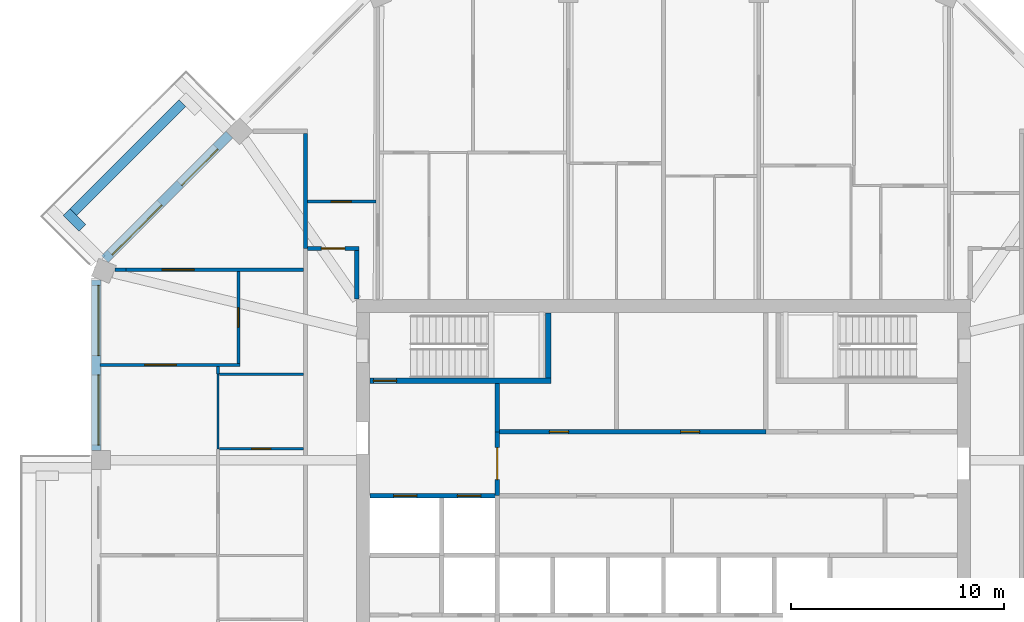
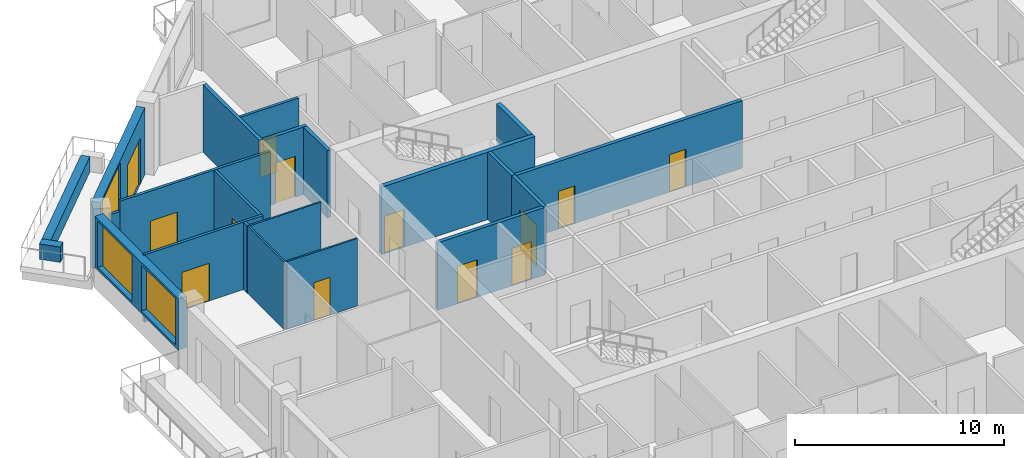
# One storey, part 7 of 13: 22 walls, 13 doors, 3 windows, 16 openings.
"""IFC4 building model written with IfcOpenShell, lengths in metres."""

from ifc_helpers import new_model, si_unit, direction, frame, frame_2d, origin, place, context, subcontext, project, spatial, rectangle, extrude, material, layer, layer_set, type_object, element, fill, save


model = new_model("IFC4")

# Units and contexts
model_context = context("Model", 3, precision=1e-05, world=origin(), true_north=direction((0.0, 1.0)))
body_context = subcontext(model_context, "Body", "Model", "MODEL_VIEW")
ifc_project = project(units=[si_unit("LENGTHUNIT", "METRE"), si_unit("AREAUNIT", "SQUARE_METRE"), si_unit("VOLUMEUNIT", "CUBIC_METRE"), si_unit("PLANEANGLEUNIT", "RADIAN"), si_unit("MASSUNIT", "GRAM", prefix="KILO")], contexts=[model_context])

# Site, building, storey
site_placement = place(None, origin())
site = spatial("IfcSite", under=ifc_project, at=site_placement, CompositionType="ELEMENT")
building_placement = place(site_placement, origin())
building = spatial("IfcBuilding", under=site, at=building_placement, Name="Msitu Wima Residences", CompositionType="ELEMENT")
storey_placement = place(building_placement, frame((0.0, 0.0, 281.10009765625)))
storey = spatial("IfcBuildingStorey", under=building, at=storey_placement, Name="L65", CompositionType="ELEMENT", Elevation=281.10009765625)

# Walls
ifc_material_1 = material(Name="Facing brick")
ifc_layer_1 = layer(ifc_material_1, 0.06494140625, Name="Facing brick")
ifc_material_2 = material(Name="Concrete C40/50", Category="concrete")
ifc_layer_2 = layer(ifc_material_2, 0.156005859375, Name="Concrete C40/50")
ifc_material_3 = material(Name="Waterproofing membrane")
ifc_layer_3 = layer(ifc_material_3, 0.00390625, Name="Waterproofing membrane")
ifc_material_4 = material(Name="Planting soil and planting")
ifc_layer_4 = layer(ifc_material_4, 0.22509765625, Name="Planting soil and planting")
ifc_layer_set_1 = layer_set([ifc_layer_1, ifc_layer_2, ifc_layer_3, ifc_layer_4], Name="Concrete C40/50")
wall_type_1 = type_object("IfcWallType", Name="Balcony planter PLANTER PL450", PredefinedType="USERDEFINED", material=ifc_layer_set_1)
wall_1_placement = place(storey_placement, frame((-22.572265625, 21.228759765625, 0.0), z_axis=(0.0, 0.0, 1.0), x_axis=(-0.707106781187, -0.707106781187, 0.0)))
element("IfcWall", 1, at=wall_1_placement, inside=storey, type_object=wall_type_1, Name="Balcony planter NW1 L65", ObjectType="PLANTER", PredefinedType="USERDEFINED", context=body_context, shape_type="SweptSolid", body=[
    extrude(rectangle(XDim=7.23828125, YDim=0.449951171875, at=frame_2d((3.619140625, 0.0))), origin(), (0.0, 0.0, 1.0), 0.89990234375),
])
wall_2_placement = place(storey_placement, frame((-27.26611328125, 15.3681640625, 0.0), z_axis=(0.0, 0.0, 1.0), x_axis=(-0.707223014731, 0.706990528533, 0.0)))
element("IfcWall", 2, at=wall_2_placement, inside=storey, type_object=wall_type_1, Name="Balcony planter NW1 L65", ObjectType="PLANTER", PredefinedType="USERDEFINED", context=body_context, shape_type="SweptSolid", body=[
    extrude(rectangle(XDim=1.050048828125, YDim=0.449951171875, at=frame_2d((0.52490234375, 0.0))), origin(), (0.0, 0.0, 1.0), 0.89990234375),
])

# Wall, openings, door, window
ifc_material_5 = material(Name="Brick (red buff mix)", Category="masonry")
ifc_layer_5 = layer(ifc_material_5, 0.449951171875)
ifc_layer_set_2 = layer_set([ifc_layer_5], Name="Brick (red buff mix)")
wall_type_2 = type_object("IfcWallType", Name="Brick infill wall BW450", PredefinedType="SOLIDWALL", material=ifc_layer_set_2)
wall_3_placement = place(storey_placement, frame((-20.380126953125, 19.743896484375, 0.0), z_axis=(0.0, 0.0, 1.0), x_axis=(-0.707106781187, -0.707106781187, 0.0)))
wall_3 = element("IfcWall", 3, at=wall_3_placement, inside=storey, type_object=wall_type_2, Name="Brick infill wall L65 NW1", PredefinedType="SOLIDWALL", context=body_context, shape_type="SweptSolid", body=[
    extrude(rectangle(XDim=8.251220703125, YDim=0.449951171875, at=frame_2d((4.12548828125, 0.0))), origin(), (0.0, 0.0, 1.0), 3.89990234375),
])
opening_1_placement = place(wall_3_placement, frame((0.86279296875, 0.0, 0.0)))
opening_1 = element("IfcOpeningElement", 4, at=opening_1_placement, cuts=wall_3, Name="Opening D65-67.005", PredefinedType="OPENING", context=body_context, shape_type="SweptSolid", body=[
    extrude(rectangle(XDim=2.39990234375, YDim=2.699951171875, at=frame_2d((1.199951171875, 1.35009765625))), frame((0.0, 0.23486328125, 0.0), z_axis=(0.0, -1.0, 0.0), x_axis=(1.0, 0.0, 0.0)), (0.0, 0.0, 1.0), 0.469970703125),
])
opening_2_placement = place(wall_3_placement, frame((4.57568359375, 0.0, 1.050048828125)))
opening_2 = element("IfcOpeningElement", 5, at=opening_2_placement, cuts=wall_3, Name="Opening W65-67.015", PredefinedType="OPENING", context=body_context, shape_type="SweptSolid", body=[
    extrude(rectangle(XDim=3.300048828125, YDim=2.699951171875, at=frame_2d((1.64990234375, 1.35009765625))), frame((0.0, 0.23486328125, 0.0), z_axis=(0.0, -1.0, 0.0), x_axis=(1.0, 0.0, 0.0)), (0.0, 0.0, 1.0), 0.469970703125),
])
ifc_material_6 = material(Name="Anodised aluminium, bronze finish, clear low-emissivity double glazing", Category="aluminium")
door_type_1 = type_object("IfcDoorType", Name="Balcony door D2400x2700", OperationType="SLIDING_TO_LEFT", PredefinedType="DOOR", material=ifc_material_6)
door_1_placement = place(opening_1_placement, origin())
door_1 = element("IfcDoor", 6, at=door_1_placement, inside=storey, type_object=door_type_1, Name="Balcony door L65 NW1", OperationType="SINGLE_SWING_LEFT", OverallHeight=2.699951171875, OverallWidth=2.39990234375, PredefinedType="DOOR", context=body_context, shape_type="SweptSolid", body=[
    extrude(rectangle(XDim=2.39990234375, YDim=2.699951171875, at=frame_2d((1.199951171875, 1.35009765625))), frame((0.0, 0.1298828125, 0.0), z_axis=(0.0, -1.0, 0.0), x_axis=(1.0, 0.0, 0.0)), (0.0, 0.0, 1.0), 0.050048828125),
])
fill(opening_1, door_1)
window_type = type_object("IfcWindowType", Name="Window W3300x2700", PartitioningType="DOUBLE_PANEL_VERTICAL", PredefinedType="WINDOW", material=ifc_material_6)
window_1_placement = place(opening_2_placement, origin())
window_1 = element("IfcWindow", 7, at=window_1_placement, inside=storey, type_object=window_type, Name="Window L65 NW1.2", OverallHeight=2.699951171875, OverallWidth=3.300048828125, PartitioningType="SINGLE_PANEL", PredefinedType="WINDOW", context=body_context, shape_type="SweptSolid", body=[
    extrude(rectangle(XDim=3.300048828125, YDim=2.699951171875, at=frame_2d((1.64990234375, 1.35009765625))), frame((0.0, 0.135009765625, 0.0), z_axis=(0.0, -1.0, 0.0), x_axis=(1.0, 0.0, 0.0)), (0.0, 0.0, 1.0), 0.06005859375),
])
fill(opening_2, window_1)

# Wall, openings, windows
wall_4_placement = place(storey_placement, frame((-26.625, 12.918701171875, 0.89990234375), z_axis=(0.0, 0.0, 1.0), x_axis=(0.0, -1.0, 0.0)))
wall_4 = element("IfcWall", 8, at=wall_4_placement, inside=storey, type_object=wall_type_2, Name="Brick infill wall L65 W0", PredefinedType="SOLIDWALL", context=body_context, shape_type="SweptSolid", body=[
    extrude(rectangle(XDim=8.0, YDim=0.449951171875, at=frame_2d((4.0, 0.0))), origin(), (0.0, 0.0, 1.0), 3.0),
])
opening_3_placement = place(wall_4_placement, frame((0.25, 0.0, 0.14990234375)))
opening_3 = element("IfcOpeningElement", 9, at=opening_3_placement, cuts=wall_4, Name="Opening W65-67.026", PredefinedType="OPENING", context=body_context, shape_type="SweptSolid", body=[
    extrude(rectangle(XDim=3.300048828125, YDim=2.699951171875, at=frame_2d((1.64990234375, 1.35009765625))), frame((0.0, 0.23486328125, 0.0), z_axis=(0.0, -1.0, 0.0), x_axis=(1.0, 0.0, 0.0)), (0.0, 0.0, 1.0), 0.469970703125),
])
opening_4_placement = place(wall_4_placement, frame((4.4501953125, 0.0, 0.14990234375)))
opening_4 = element("IfcOpeningElement", 10, at=opening_4_placement, cuts=wall_4, Name="Opening W65-67.027", PredefinedType="OPENING", context=body_context, shape_type="SweptSolid", body=[
    extrude(rectangle(XDim=3.300048828125, YDim=2.699951171875, at=frame_2d((1.64990234375, 1.35009765625))), frame((0.0, 0.23486328125, 0.0), z_axis=(0.0, -1.0, 0.0), x_axis=(1.0, 0.0, 0.0)), (0.0, 0.0, 1.0), 0.469970703125),
])
window_2_placement = place(opening_3_placement, origin())
window_2 = element("IfcWindow", 11, at=window_2_placement, inside=storey, type_object=window_type, Name="Window L65 W0.1", OverallHeight=2.699951171875, OverallWidth=3.300048828125, PartitioningType="SINGLE_PANEL", PredefinedType="WINDOW", context=body_context, shape_type="SweptSolid", body=[
    extrude(rectangle(XDim=3.300048828125, YDim=2.699951171875, at=frame_2d((1.64990234375, 1.35009765625))), frame((0.0, 0.135009765625, 0.0), z_axis=(0.0, -1.0, 0.0), x_axis=(1.0, 0.0, 0.0)), (0.0, 0.0, 1.0), 0.06005859375),
])
fill(opening_3, window_2)
window_3_placement = place(opening_4_placement, origin())
window_3 = element("IfcWindow", 12, at=window_3_placement, inside=storey, type_object=window_type, Name="Window L65 W0.2", OverallHeight=2.699951171875, OverallWidth=3.300048828125, PartitioningType="SINGLE_PANEL", PredefinedType="WINDOW", context=body_context, shape_type="SweptSolid", body=[
    extrude(rectangle(XDim=3.300048828125, YDim=2.699951171875, at=frame_2d((1.64990234375, 1.35009765625))), frame((0.0, 0.135009765625, 0.0), z_axis=(0.0, -1.0, 0.0), x_axis=(1.0, 0.0, 0.0)), (0.0, 0.0, 1.0), 0.06005859375),
])
fill(opening_4, window_3)

# Wall, opening, door
ifc_material_7 = material(Name="Plaster")
ifc_layer_6 = layer(ifc_material_7, 0.011962890625, Name="Plaster")
ifc_material_8 = material(Name="Concrete blockwork", Category="masonry")
ifc_layer_7 = layer(ifc_material_8, 0.176025390625, Name="Concrete blockwork")
ifc_layer_8 = layer(ifc_material_7, 0.011962890625, Name="Plaster")
ifc_layer_set_3 = layer_set([ifc_layer_6, ifc_layer_7, ifc_layer_8], Name="Concrete blockwork")
wall_type_3 = type_object("IfcWallType", Name="Corridor wall FW200", PredefinedType="PARTITIONING", material=ifc_layer_set_3)
wall_5_placement = place(storey_placement, frame((-16.699951171875, 14.39990234375, 0.0), z_axis=(0.0, 0.0, 1.0), x_axis=(1.0, 0.0, 0.0)))
wall_5 = element("IfcWall", 13, at=wall_5_placement, inside=storey, type_object=wall_type_3, Name="Corridor wall", PredefinedType="PARTITIONING", context=body_context, shape_type="SweptSolid", body=[
    extrude(rectangle(XDim=2.39990234375, YDim=0.199951171875, at=frame_2d((1.199951171875, 0.0))), origin(), (0.0, 0.0, 1.0), 3.949951171875),
])
opening_5_placement = place(wall_5_placement, frame((0.64990234375, 0.0, 0.0)))
opening_5 = element("IfcOpeningElement", 14, at=opening_5_placement, cuts=wall_5, Name="Opening D65-67.032", PredefinedType="OPENING", context=body_context, shape_type="SweptSolid", body=[
    extrude(rectangle(XDim=1.10009765625, YDim=2.39990234375, at=frame_2d((0.550048828125, 1.199951171875))), frame((0.0, 0.10986328125, 0.0), z_axis=(0.0, -1.0, 0.0), x_axis=(1.0, 0.0, 0.0)), (0.0, 0.0, 1.0), 0.219970703125),
])
ifc_material_9 = material(Name="Timber flush door, fire resisting, self-closing", Category="wood")
door_type_2 = type_object("IfcDoorType", Name="Flat entrance door D01 1100x2400", OperationType="SINGLE_SWING_LEFT", PredefinedType="DOOR", material=ifc_material_9)
door_2_placement = place(opening_5_placement, origin())
door_2 = element("IfcDoor", 15, at=door_2_placement, inside=storey, type_object=door_type_2, Name="Flat entrance door", OperationType="SINGLE_SWING_LEFT", OverallHeight=2.39990234375, OverallWidth=1.10009765625, PredefinedType="DOOR", context=body_context, shape_type="SweptSolid", body=[
    extrude(rectangle(XDim=1.10009765625, YDim=2.39990234375, at=frame_2d((0.550048828125, 1.199951171875))), frame((0.0, 0.02490234375, 0.0), z_axis=(0.0, -1.0, 0.0), x_axis=(1.0, 0.0, 0.0)), (0.0, 0.0, 1.0), 0.050048828125),
])
fill(opening_5, door_2)

# Wall
wall_6_placement = place(storey_placement, frame((-14.39990234375, 12.030029296875, 0.0), z_axis=(0.0, 0.0, 1.0), x_axis=(0.0, 1.0, 0.0)))
element("IfcWall", 16, at=wall_6_placement, inside=storey, type_object=wall_type_3, Name="Corridor wall", PredefinedType="PARTITIONING", context=body_context, shape_type="SweptSolid", body=[
    extrude(rectangle(XDim=2.27001953125, YDim=0.199951171875, at=frame_2d((1.135009765625, 0.0))), origin(), (0.0, 0.0, 1.0), 3.949951171875),
])

# Wall, opening, door
wall_7_placement = place(storey_placement, frame((-7.800048828125, 2.800048828125, 0.0), z_axis=(0.0, 0.0, 1.0), x_axis=(0.0, 1.0, 0.0)))
wall_7 = element("IfcWall", 17, at=wall_7_placement, inside=storey, type_object=wall_type_3, Name="Corridor wall", PredefinedType="PARTITIONING", context=body_context, shape_type="SweptSolid", body=[
    extrude(rectangle(XDim=3.0, YDim=0.199951171875, at=frame_2d((1.5, 0.0))), origin(), (0.0, 0.0, 1.0), 3.949951171875),
])
opening_6_placement = place(wall_7_placement, frame((0.75, 0.0, 0.0)))
opening_6 = element("IfcOpeningElement", 18, at=opening_6_placement, cuts=wall_7, Name="Opening D65-67.076", PredefinedType="OPENING", context=body_context, shape_type="SweptSolid", body=[
    extrude(rectangle(XDim=1.5, YDim=2.39990234375, at=frame_2d((0.75, 1.199951171875))), frame((0.0, 0.10986328125, 0.0), z_axis=(0.0, -1.0, 0.0), x_axis=(1.0, 0.0, 0.0)), (0.0, 0.0, 1.0), 0.219970703125),
])
ifc_material_10 = material(Name="Steel framed glazed door, fire resisting", Category="steel")
door_type_3 = type_object("IfcDoorType", Name="Lobby door D07 1500x2400", OperationType="DOUBLE_DOOR_SINGLE_SWING", PredefinedType="DOOR", material=ifc_material_10)
door_3_placement = place(opening_6_placement, origin())
door_3 = element("IfcDoor", 19, at=door_3_placement, inside=storey, type_object=door_type_3, Name="Lobby door", OperationType="DOUBLE_DOOR_SINGLE_SWING", OverallHeight=2.39990234375, OverallWidth=1.5, PredefinedType="DOOR", context=body_context, shape_type="SweptSolid", body=[
    extrude(rectangle(XDim=1.5, YDim=2.39990234375, at=frame_2d((0.75, 1.199951171875))), frame((0.0, 0.02490234375, 0.0), z_axis=(0.0, -1.0, 0.0), x_axis=(1.0, 0.0, 0.0)), (0.0, 0.0, 1.0), 0.050048828125),
])
fill(opening_6, door_3)

ifc_layer_9 = layer(ifc_material_7, 0.011962890625, Name="Plaster")
ifc_layer_10 = layer(ifc_material_8, 0.1259765625, Name="Concrete blockwork")
ifc_layer_11 = layer(ifc_material_7, 0.011962890625, Name="Plaster")
ifc_layer_set_4 = layer_set([ifc_layer_9, ifc_layer_10, ifc_layer_11], Name="Concrete blockwork")
wall_type_4 = type_object("IfcWallType", Name="Partition PW150", PredefinedType="PARTITIONING", material=ifc_layer_set_4)
wall_8_placement = place(storey_placement, frame((-26.455078125, 8.937255859375, 0.0), z_axis=(0.0, 0.0, 1.0), x_axis=(1.0, 0.0, 0.0)))
wall_8 = element("IfcWall", 20, at=wall_8_placement, inside=storey, type_object=wall_type_4, Name="Partition", PredefinedType="PARTITIONING", context=body_context, shape_type="SweptSolid", body=[
    extrude(rectangle(XDim=6.580078125, YDim=0.14990234375, at=frame_2d((3.2900390625, 0.0))), origin(), (0.0, 0.0, 1.0), 3.949951171875),
])
opening_7_placement = place(wall_8_placement, frame((2.10009765625, 0.0, 0.0)))
opening_7 = element("IfcOpeningElement", 21, at=opening_7_placement, cuts=wall_8, Name="Opening D65-67.051", PredefinedType="OPENING", context=body_context, shape_type="SweptSolid", body=[
    extrude(rectangle(XDim=1.5, YDim=2.199951171875, at=frame_2d((0.75, 1.10009765625))), frame((0.0, 0.0849609375, 0.0), z_axis=(0.0, -1.0, 0.0), x_axis=(1.0, 0.0, 0.0)), (0.0, 0.0, 1.0), 0.169921875),
])
ifc_material_11 = material(Name="Timber double door", Category="wood")
door_type_4 = type_object("IfcDoorType", Name="Double door D04 1500x2200", OperationType="DOUBLE_DOOR_SINGLE_SWING", PredefinedType="DOOR", material=ifc_material_11)
door_4_placement = place(opening_7_placement, origin())
door_4 = element("IfcDoor", 22, at=door_4_placement, inside=storey, type_object=door_type_4, Name="Double door", OperationType="DOUBLE_DOOR_SINGLE_SWING", OverallHeight=2.199951171875, OverallWidth=1.5, PredefinedType="DOOR", context=body_context, shape_type="SweptSolid", body=[
    extrude(rectangle(XDim=1.5, YDim=2.199951171875, at=frame_2d((0.75, 1.10009765625))), frame((0.0, 0.02490234375, 0.0), z_axis=(0.0, -1.0, 0.0), x_axis=(1.0, 0.0, 0.0)), (0.0, 0.0, 1.0), 0.050048828125),
])
fill(opening_7, door_4)

# Wall
wall_9_placement = place(storey_placement, frame((-25.731201171875, 13.406005859375, 0.0), z_axis=(0.0, 0.0, 1.0), x_axis=(1.0, 0.0, 0.0)))
element("IfcWall", 23, at=wall_9_placement, inside=storey, type_object=wall_type_4, Name="Partition", PredefinedType="PARTITIONING", context=body_context, shape_type="SweptSolid", body=[
    extrude(rectangle(XDim=0.507080078125, YDim=0.14990234375, at=frame_2d((0.25341796875, 0.0))), origin(), (0.0, 0.0, 1.0), 3.349853515625),
])

# Wall, opening, door
wall_10_placement = place(storey_placement, frame((-25.22412109375, 13.406005859375, 0.0), z_axis=(0.0, 0.0, 1.0), x_axis=(1.0, 0.0, 0.0)))
wall_10 = element("IfcWall", 24, at=wall_10_placement, inside=storey, type_object=wall_type_4, Name="Partition", PredefinedType="PARTITIONING", context=body_context, shape_type="SweptSolid", body=[
    extrude(rectangle(XDim=8.32421875, YDim=0.14990234375, at=frame_2d((4.162109375, 0.0))), origin(), (0.0, 0.0, 1.0), 3.949951171875),
])
opening_8_placement = place(wall_10_placement, frame((1.69287109375, 0.0, 0.0)))
opening_8 = element("IfcOpeningElement", 25, at=opening_8_placement, cuts=wall_10, Name="Opening D65-67.052", PredefinedType="OPENING", context=body_context, shape_type="SweptSolid", body=[
    extrude(rectangle(XDim=1.5, YDim=2.199951171875, at=frame_2d((0.75, 1.10009765625))), frame((0.0, 0.0849609375, 0.0), z_axis=(0.0, -1.0, 0.0), x_axis=(1.0, 0.0, 0.0)), (0.0, 0.0, 1.0), 0.169921875),
])
door_5_placement = place(opening_8_placement, origin())
door_5 = element("IfcDoor", 26, at=door_5_placement, inside=storey, type_object=door_type_4, Name="Double door", OperationType="DOUBLE_DOOR_SINGLE_SWING", OverallHeight=2.199951171875, OverallWidth=1.5, PredefinedType="DOOR", context=body_context, shape_type="SweptSolid", body=[
    extrude(rectangle(XDim=1.5, YDim=2.199951171875, at=frame_2d((0.75, 1.10009765625))), frame((0.0, 0.02490234375, 0.0), z_axis=(0.0, -1.0, 0.0), x_axis=(1.0, 0.0, 0.0)), (0.0, 0.0, 1.0), 0.050048828125),
])
fill(opening_8, door_5)

# Wall
wall_11_placement = place(storey_placement, frame((-20.89990234375, 8.5, 0.0), z_axis=(0.0, 0.0, 1.0), x_axis=(0.0, 1.0, 0.0)))
element("IfcWall", 27, at=wall_11_placement, inside=storey, type_object=wall_type_4, Name="Partition", PredefinedType="PARTITIONING", context=body_context, shape_type="SweptSolid", body=[
    extrude(rectangle(XDim=0.3623046875, YDim=0.14990234375, at=frame_2d((0.18115234375, 0.0))), origin(), (0.0, 0.0, 1.0), 3.949951171875),
])

# Wall, opening, door
wall_12_placement = place(storey_placement, frame((-19.949951171875, 9.01220703125, 0.0), z_axis=(0.0, 0.0, 1.0), x_axis=(0.0, 1.0, 0.0)))
wall_12 = element("IfcWall", 28, at=wall_12_placement, inside=storey, type_object=wall_type_4, Name="Partition", PredefinedType="PARTITIONING", context=body_context, shape_type="SweptSolid", body=[
    extrude(rectangle(XDim=4.318603515625, YDim=0.14990234375, at=frame_2d((2.1591796875, 0.0))), origin(), (0.0, 0.0, 1.0), 3.949951171875),
])
opening_9_placement = place(wall_12_placement, frame((1.699951171875, 0.0, 0.0)))
opening_9 = element("IfcOpeningElement", 29, at=opening_9_placement, cuts=wall_12, Name="Opening D65-67.045", PredefinedType="OPENING", context=body_context, shape_type="SweptSolid", body=[
    extrude(rectangle(XDim=0.89990234375, YDim=2.199951171875, at=frame_2d((0.449951171875, 1.10009765625))), frame((0.0, 0.0849609375, 0.0), z_axis=(0.0, -1.0, 0.0), x_axis=(1.0, 0.0, 0.0)), (0.0, 0.0, 1.0), 0.169921875),
])
ifc_material_12 = material(Name="Timber flush door", Category="wood")
door_type_5 = type_object("IfcDoorType", Name="Service door D05 900x2200", OperationType="SINGLE_SWING_LEFT", PredefinedType="DOOR", material=ifc_material_12)
door_6_placement = place(opening_9_placement, origin())
door_6 = element("IfcDoor", 30, at=door_6_placement, inside=storey, type_object=door_type_5, Name="Service door", OperationType="SINGLE_SWING_LEFT", OverallHeight=2.199951171875, OverallWidth=0.89990234375, PredefinedType="DOOR", context=body_context, shape_type="SweptSolid", body=[
    extrude(rectangle(XDim=0.89990234375, YDim=2.199951171875, at=frame_2d((0.449951171875, 1.10009765625))), frame((0.0, 0.02490234375, 0.0), z_axis=(0.0, -1.0, 0.0), x_axis=(1.0, 0.0, 0.0)), (0.0, 0.0, 1.0), 0.050048828125),
])
fill(opening_9, door_6)

wall_13_placement = place(storey_placement, frame((-16.699951171875, 16.60009765625, 0.0), z_axis=(0.0, 0.0, 1.0), x_axis=(1.0, 0.0, 0.0)))
wall_13 = element("IfcWall", 31, at=wall_13_placement, inside=storey, type_object=wall_type_4, Name="Partition", PredefinedType="PARTITIONING", context=body_context, shape_type="SweptSolid", body=[
    extrude(rectangle(XDim=3.218994140625, YDim=0.14990234375, at=frame_2d((1.609375, 0.0))), origin(), (0.0, 0.0, 1.0), 3.949951171875),
])
opening_10_placement = place(wall_13_placement, frame((1.10009765625, 0.0, 0.0)))
opening_10 = element("IfcOpeningElement", 32, at=opening_10_placement, cuts=wall_13, Name="Opening D65-67.035", PredefinedType="OPENING", context=body_context, shape_type="SweptSolid", body=[
    extrude(rectangle(XDim=0.949951171875, YDim=2.199951171875, at=frame_2d((0.47509765625, 1.10009765625))), frame((0.0, 0.0849609375, 0.0), z_axis=(0.0, -1.0, 0.0), x_axis=(1.0, 0.0, 0.0)), (0.0, 0.0, 1.0), 0.169921875),
])
door_type_6 = type_object("IfcDoorType", Name="Room door D12 950x2200", OperationType="SINGLE_SWING_LEFT", PredefinedType="DOOR", material=ifc_material_12)
door_7_placement = place(opening_10_placement, origin())
door_7 = element("IfcDoor", 33, at=door_7_placement, inside=storey, type_object=door_type_6, Name="Room door", OperationType="SINGLE_SWING_LEFT", OverallHeight=2.199951171875, OverallWidth=0.949951171875, PredefinedType="DOOR", context=body_context, shape_type="SweptSolid", body=[
    extrude(rectangle(XDim=0.949951171875, YDim=2.199951171875, at=frame_2d((0.47509765625, 1.10009765625))), frame((0.0, 0.02490234375, 0.0), z_axis=(0.0, -1.0, 0.0), x_axis=(1.0, 0.0, 0.0)), (0.0, 0.0, 1.0), 0.050048828125),
])
fill(opening_10, door_7)

# Walls
ifc_layer_12 = layer(ifc_material_7, 0.011962890625, Name="Plaster")
ifc_material_13 = material(Name="Dense concrete blockwork", Category="masonry")
ifc_layer_13 = layer(ifc_material_13, 0.176025390625, Name="Dense concrete blockwork")
ifc_layer_14 = layer(ifc_material_7, 0.011962890625, Name="Plaster")
ifc_layer_set_5 = layer_set([ifc_layer_12, ifc_layer_13, ifc_layer_14], Name="Dense concrete blockwork")
wall_type_5 = type_object("IfcWallType", Name="Party wall PW200", PredefinedType="PARTITIONING", material=ifc_layer_set_5)
wall_14_placement = place(storey_placement, frame((-16.800048828125, 14.39990234375, 0.0), z_axis=(0.0, 0.0, 1.0), x_axis=(0.0, 1.0, 0.0)))
element("IfcWall", 34, at=wall_14_placement, inside=storey, type_object=wall_type_5, Name="Party wall", PredefinedType="PARTITIONING", context=body_context, shape_type="SweptSolid", body=[
    extrude(rectangle(XDim=5.403076171875, YDim=0.199951171875, at=frame_2d((2.70166015625, 0.0))), origin(), (0.0, 0.0, 1.0), 3.949951171875),
])
ifc_layer_15 = layer(ifc_material_7, 0.011962890625, Name="Plaster")
ifc_material_14 = material(Name="Reinforced concrete blockwork", Category="masonry")
ifc_layer_16 = layer(ifc_material_14, 0.176025390625, Name="Reinforced concrete blockwork")
ifc_layer_17 = layer(ifc_material_7, 0.011962890625, Name="Plaster")
ifc_layer_set_6 = layer_set([ifc_layer_15, ifc_layer_16, ifc_layer_17], Name="Reinforced concrete blockwork")
wall_type_6 = type_object("IfcWallType", Name="Plant and riser wall PL200", PredefinedType="PARTITIONING", material=ifc_layer_set_6)
wall_15_placement = place(storey_placement, frame((-7.800048828125, 5.800048828125, 0.0), z_axis=(0.0, 0.0, 1.0), x_axis=(0.0, 1.0, 0.0)))
element("IfcWall", 35, at=wall_15_placement, inside=storey, type_object=wall_type_6, Name="Plant and riser wall", PredefinedType="PARTITIONING", context=body_context, shape_type="SweptSolid", body=[
    extrude(rectangle(XDim=2.27490234375, YDim=0.199951171875, at=frame_2d((1.137451171875, 0.0))), origin(), (0.0, 0.0, 1.0), 3.949951171875),
])

# Wall, openings, doors
wall_16_placement = place(storey_placement, frame((-7.699951171875, 5.800048828125, 0.0), z_axis=(0.0, 0.0, 1.0), x_axis=(1.0, 0.0, 0.0)))
wall_16 = element("IfcWall", 36, at=wall_16_placement, inside=storey, type_object=wall_type_6, Name="Plant and riser wall", PredefinedType="PARTITIONING", context=body_context, shape_type="SweptSolid", body=[
    extrude(rectangle(XDim=12.52001953125, YDim=0.199951171875, at=frame_2d((6.260009765625, 0.0))), origin(), (0.0, 0.0, 1.0), 3.949951171875),
])
opening_11_placement = place(wall_16_placement, frame((2.35009765625, 0.0, 0.0)))
opening_11 = element("IfcOpeningElement", 37, at=opening_11_placement, cuts=wall_16, Name="Opening D65-67.079", PredefinedType="OPENING", context=body_context, shape_type="SweptSolid", body=[
    extrude(rectangle(XDim=0.89990234375, YDim=2.199951171875, at=frame_2d((0.449951171875, 1.10009765625))), frame((0.0, 0.10986328125, 0.0), z_axis=(0.0, -1.0, 0.0), x_axis=(1.0, 0.0, 0.0)), (0.0, 0.0, 1.0), 0.219970703125),
])
opening_12_placement = place(wall_16_placement, frame((8.5, 0.0, 0.0)))
opening_12 = element("IfcOpeningElement", 38, at=opening_12_placement, cuts=wall_16, Name="Opening D65-67.080", PredefinedType="OPENING", context=body_context, shape_type="SweptSolid", body=[
    extrude(rectangle(XDim=0.89990234375, YDim=2.199951171875, at=frame_2d((0.449951171875, 1.10009765625))), frame((0.0, 0.10986328125, 0.0), z_axis=(0.0, -1.0, 0.0), x_axis=(1.0, 0.0, 0.0)), (0.0, 0.0, 1.0), 0.219970703125),
])
door_8_placement = place(opening_11_placement, origin())
door_8 = element("IfcDoor", 39, at=door_8_placement, inside=storey, type_object=door_type_5, Name="Service door", OperationType="SINGLE_SWING_RIGHT", OverallHeight=2.199951171875, OverallWidth=0.89990234375, PredefinedType="DOOR", context=body_context, shape_type="SweptSolid", body=[
    extrude(rectangle(XDim=0.89990234375, YDim=2.199951171875, at=frame_2d((0.449951171875, 1.10009765625))), frame((0.0, 0.02490234375, 0.0), z_axis=(0.0, -1.0, 0.0), x_axis=(1.0, 0.0, 0.0)), (0.0, 0.0, 1.0), 0.050048828125),
])
fill(opening_11, door_8)
door_9_placement = place(opening_12_placement, origin())
door_9 = element("IfcDoor", 40, at=door_9_placement, inside=storey, type_object=door_type_5, Name="Service door", OperationType="SINGLE_SWING_LEFT", OverallHeight=2.199951171875, OverallWidth=0.89990234375, PredefinedType="DOOR", context=body_context, shape_type="SweptSolid", body=[
    extrude(rectangle(XDim=0.89990234375, YDim=2.199951171875, at=frame_2d((0.449951171875, 1.10009765625))), frame((0.0, 0.02490234375, 0.0), z_axis=(0.0, -1.0, 0.0), x_axis=(1.0, 0.0, 0.0)), (0.0, 0.0, 1.0), 0.050048828125),
])
fill(opening_12, door_9)

ifc_material_15 = material(Name="Fire-rated board")
ifc_layer_18 = layer(ifc_material_15, 0.02490234375, Name="Fire-rated board")
ifc_material_16 = material(Name="Light-gauge stud framing with mineral wool")
ifc_layer_19 = layer(ifc_material_16, 0.14990234375, Name="Light-gauge stud framing with mineral wool")
ifc_layer_20 = layer(ifc_material_15, 0.02490234375, Name="Fire-rated board")
ifc_layer_set_7 = layer_set([ifc_layer_18, ifc_layer_19, ifc_layer_20], Name="Light-gauge stud framing with mineral wool")
wall_type_7 = type_object("IfcWallType", Name="Shaft wall SH200", PredefinedType="PARTITIONING", material=ifc_layer_set_7)
wall_17_placement = place(storey_placement, frame((-13.77001953125, 2.800048828125, 0.0), z_axis=(0.0, 0.0, 1.0), x_axis=(1.0, 0.0, 0.0)))
wall_17 = element("IfcWall", 41, at=wall_17_placement, inside=storey, type_object=wall_type_7, Name="Shaft wall", PredefinedType="PARTITIONING", context=body_context, shape_type="SweptSolid", body=[
    extrude(rectangle(XDim=5.949951171875, YDim=0.199951171875, at=frame_2d((2.97509765625, 0.0))), origin(), (0.0, 0.0, 1.0), 3.949951171875),
])
opening_13_placement = place(wall_17_placement, frame((1.10009765625, 0.0, 0.0)))
opening_13 = element("IfcOpeningElement", 42, at=opening_13_placement, cuts=wall_17, Name="Opening LD", PredefinedType="OPENING", context=body_context, shape_type="SweptSolid", body=[
    extrude(rectangle(XDim=1.10009765625, YDim=2.199951171875, at=frame_2d((0.550048828125, 1.10009765625))), frame((0.0, 0.10986328125, 0.0), z_axis=(0.0, -1.0, 0.0), x_axis=(1.0, 0.0, 0.0)), (0.0, 0.0, 1.0), 0.219970703125),
])
opening_14_placement = place(wall_17_placement, frame((4.10009765625, 0.0, 0.0)))
opening_14 = element("IfcOpeningElement", 43, at=opening_14_placement, cuts=wall_17, Name="Opening LD", PredefinedType="OPENING", context=body_context, shape_type="SweptSolid", body=[
    extrude(rectangle(XDim=1.10009765625, YDim=2.199951171875, at=frame_2d((0.550048828125, 1.10009765625))), frame((0.0, 0.10986328125, 0.0), z_axis=(0.0, -1.0, 0.0), x_axis=(1.0, 0.0, 0.0)), (0.0, 0.0, 1.0), 0.219970703125),
])
ifc_material_17 = material(Name="Stainless steel centre-opening landing door, rated", Category="steel")
door_type_7 = type_object("IfcDoorType", Name="Lift landing door LD 1100x2200", OperationType="DOUBLE_DOOR_SLIDING", PredefinedType="DOOR", material=ifc_material_17)
door_10_placement = place(opening_13_placement, origin())
door_10 = element("IfcDoor", 44, at=door_10_placement, inside=storey, type_object=door_type_7, Name="Lift landing door LD1", OperationType="DOUBLE_DOOR_SLIDING", OverallHeight=2.199951171875, OverallWidth=1.10009765625, PredefinedType="DOOR", context=body_context, shape_type="SweptSolid", body=[
    extrude(rectangle(XDim=1.10009765625, YDim=2.199951171875, at=frame_2d((0.550048828125, 1.10009765625))), frame((0.0, 0.02490234375, 0.0), z_axis=(0.0, -1.0, 0.0), x_axis=(1.0, 0.0, 0.0)), (0.0, 0.0, 1.0), 0.050048828125),
])
fill(opening_13, door_10)
door_11_placement = place(opening_14_placement, origin())
door_11 = element("IfcDoor", 45, at=door_11_placement, inside=storey, type_object=door_type_7, Name="Lift landing door LD2", OperationType="DOUBLE_DOOR_SLIDING", OverallHeight=2.199951171875, OverallWidth=1.10009765625, PredefinedType="DOOR", context=body_context, shape_type="SweptSolid", body=[
    extrude(rectangle(XDim=1.10009765625, YDim=2.199951171875, at=frame_2d((0.550048828125, 1.10009765625))), frame((0.0, 0.02490234375, 0.0), z_axis=(0.0, -1.0, 0.0), x_axis=(1.0, 0.0, 0.0)), (0.0, 0.0, 1.0), 0.050048828125),
])
fill(opening_14, door_11)

# Wall, opening, door
ifc_material_18 = material(Name="Concrete C50/60", Category="concrete")
ifc_layer_21 = layer(ifc_material_18, 0.25)
ifc_layer_set_8 = layer_set([ifc_layer_21], Name="Concrete C50/60")
wall_type_8 = type_object("IfcWallType", Name="Stair enclosure wall SW250", PredefinedType="SHEAR", material=ifc_layer_set_8)
wall_18_placement = place(storey_placement, frame((-13.77001953125, 8.199951171875, 0.0), z_axis=(0.0, 0.0, 1.0), x_axis=(1.0, 0.0, 0.0)))
wall_18 = element("IfcWall", 46, at=wall_18_placement, inside=storey, type_object=wall_type_8, Name="Stair enclosure wall", PredefinedType="SHEAR", context=body_context, shape_type="SweptSolid", body=[
    extrude(rectangle(XDim=8.4951171875, YDim=0.25, at=frame_2d((4.24755859375, 0.0))), origin(), (0.0, 0.0, 1.0), 3.949951171875),
])
opening_15_placement = place(wall_18_placement, frame((0.14990234375, 0.0, 0.0)))
opening_15 = element("IfcOpeningElement", 47, at=opening_15_placement, cuts=wall_18, Name="Opening D65-67.093", PredefinedType="OPENING", context=body_context, shape_type="SweptSolid", body=[
    extrude(rectangle(XDim=1.10009765625, YDim=2.199951171875, at=frame_2d((0.550048828125, 1.10009765625))), frame((0.0, 0.135009765625, 0.0), z_axis=(0.0, -1.0, 0.0), x_axis=(1.0, 0.0, 0.0)), (0.0, 0.0, 1.0), 0.27001953125),
])
ifc_material_19 = material(Name="Steel door, fire resisting, panic bar", Category="steel")
door_type_8 = type_object("IfcDoorType", Name="Stair door D06 1100x2200", OperationType="SINGLE_SWING_LEFT", PredefinedType="DOOR", material=ifc_material_19)
door_12_placement = place(opening_15_placement, origin())
door_12 = element("IfcDoor", 48, at=door_12_placement, inside=storey, type_object=door_type_8, Name="Stair door", OperationType="SINGLE_SWING_LEFT", OverallHeight=2.199951171875, OverallWidth=1.10009765625, PredefinedType="DOOR", context=body_context, shape_type="SweptSolid", body=[
    extrude(rectangle(XDim=1.10009765625, YDim=2.199951171875, at=frame_2d((0.550048828125, 1.10009765625))), frame((0.0, 0.02490234375, 0.0), z_axis=(0.0, -1.0, 0.0), x_axis=(1.0, 0.0, 0.0)), (0.0, 0.0, 1.0), 0.050048828125),
])
fill(opening_15, door_12)

# Walls
wall_19_placement = place(storey_placement, frame((-5.39990234375, 8.324951171875, 0.0), z_axis=(0.0, 0.0, 1.0), x_axis=(0.0, 1.0, 0.0)))
element("IfcWall", 49, at=wall_19_placement, inside=storey, type_object=wall_type_8, Name="Stair enclosure wall", PredefinedType="SHEAR", context=body_context, shape_type="SweptSolid", body=[
    extrude(rectangle(XDim=3.045166015625, YDim=0.25, at=frame_2d((1.5224609375, 0.0))), origin(), (0.0, 0.0, 1.0), 3.949951171875),
])
ifc_material_20 = material(Name="Ceramic tiles")
ifc_layer_22 = layer(ifc_material_20, 0.008056640625, Name="Ceramic tiles")
ifc_material_21 = material(Name="Moisture-resistant board")
ifc_layer_23 = layer(ifc_material_21, 0.012451171875, Name="Moisture-resistant board")
ifc_layer_24 = layer(ifc_material_16, 0.06689453125, Name="Light-gauge stud framing with mineral wool")
ifc_layer_25 = layer(ifc_material_21, 0.012451171875, Name="Moisture-resistant board")
ifc_layer_set_9 = layer_set([ifc_layer_22, ifc_layer_23, ifc_layer_24, ifc_layer_25], Name="Light-gauge stud framing with mineral wool")
wall_type_9 = type_object("IfcWallType", Name="Wet wall PW100", PredefinedType="PARTITIONING", material=ifc_layer_set_9)
wall_20_placement = place(storey_placement, frame((-20.89990234375, 5.0, 0.0), z_axis=(0.0, 0.0, 1.0), x_axis=(0.0, 1.0, 0.0)))
element("IfcWall", 50, at=wall_20_placement, inside=storey, type_object=wall_type_9, Name="Wet wall", PredefinedType="PARTITIONING", context=body_context, shape_type="SweptSolid", body=[
    extrude(rectangle(XDim=3.5, YDim=0.10009765625, at=frame_2d((1.75, 0.0))), origin(), (0.0, 0.0, 1.0), 3.949951171875),
])

# Wall, opening, door
wall_21_placement = place(storey_placement, frame((-20.824951171875, 5.0, 0.0), z_axis=(0.0, 0.0, 1.0), x_axis=(1.0, 0.0, 0.0)))
wall_21 = element("IfcWall", 51, at=wall_21_placement, inside=storey, type_object=wall_type_9, Name="Wet wall", PredefinedType="PARTITIONING", context=body_context, shape_type="SweptSolid", body=[
    extrude(rectangle(XDim=3.925048828125, YDim=0.10009765625, at=frame_2d((1.96240234375, 0.0))), origin(), (0.0, 0.0, 1.0), 3.949951171875),
])
opening_16_placement = place(wall_21_placement, frame((1.5, 0.0, 0.0)))
opening_16 = element("IfcOpeningElement", 52, at=opening_16_placement, cuts=wall_21, Name="Opening D65-67.044", PredefinedType="OPENING", context=body_context, shape_type="SweptSolid", body=[
    extrude(rectangle(XDim=0.89990234375, YDim=2.199951171875, at=frame_2d((0.449951171875, 1.10009765625))), frame((0.0, 0.06005859375, 0.0), z_axis=(0.0, -1.0, 0.0), x_axis=(1.0, 0.0, 0.0)), (0.0, 0.0, 1.0), 0.1201171875),
])
door_13_placement = place(opening_16_placement, origin())
door_13 = element("IfcDoor", 53, at=door_13_placement, inside=storey, type_object=door_type_5, Name="Service door", OperationType="SINGLE_SWING_RIGHT", OverallHeight=2.199951171875, OverallWidth=0.89990234375, PredefinedType="DOOR", context=body_context, shape_type="SweptSolid", body=[
    extrude(rectangle(XDim=0.89990234375, YDim=2.199951171875, at=frame_2d((0.449951171875, 1.10009765625))), frame((0.0, 0.02490234375, 0.0), z_axis=(0.0, -1.0, 0.0), x_axis=(1.0, 0.0, 0.0)), (0.0, 0.0, 1.0), 0.050048828125),
])
fill(opening_16, door_13)

# Wall
wall_22_placement = place(storey_placement, frame((-20.824951171875, 8.5, 0.0), z_axis=(0.0, 0.0, 1.0), x_axis=(1.0, 0.0, 0.0)))
element("IfcWall", 54, at=wall_22_placement, inside=storey, type_object=wall_type_9, Name="Wet wall", PredefinedType="PARTITIONING", context=body_context, shape_type="SweptSolid", body=[
    extrude(rectangle(XDim=3.925048828125, YDim=0.10009765625, at=frame_2d((1.96240234375, 0.0))), origin(), (0.0, 0.0, 1.0), 3.949951171875),
])

save(model, "model.ifc")
